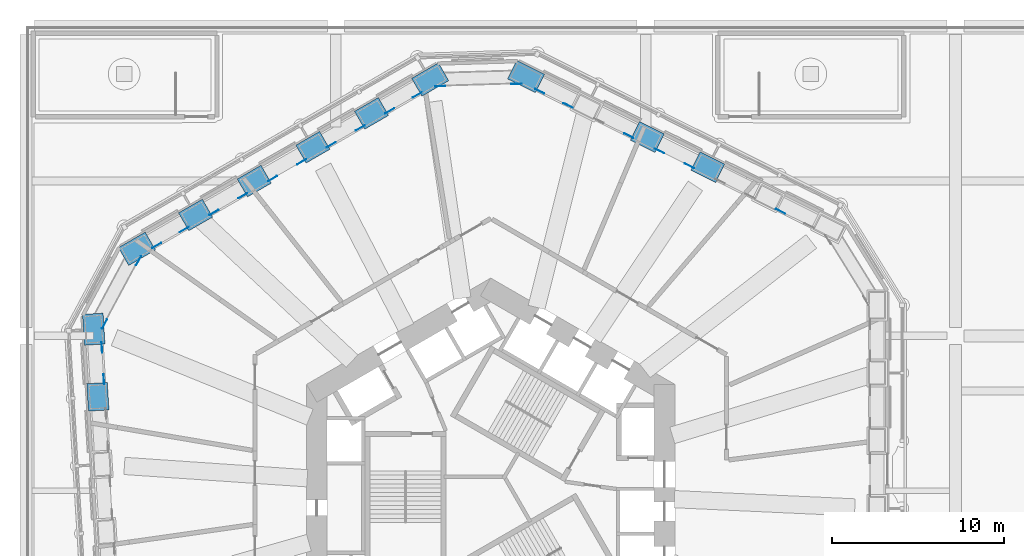
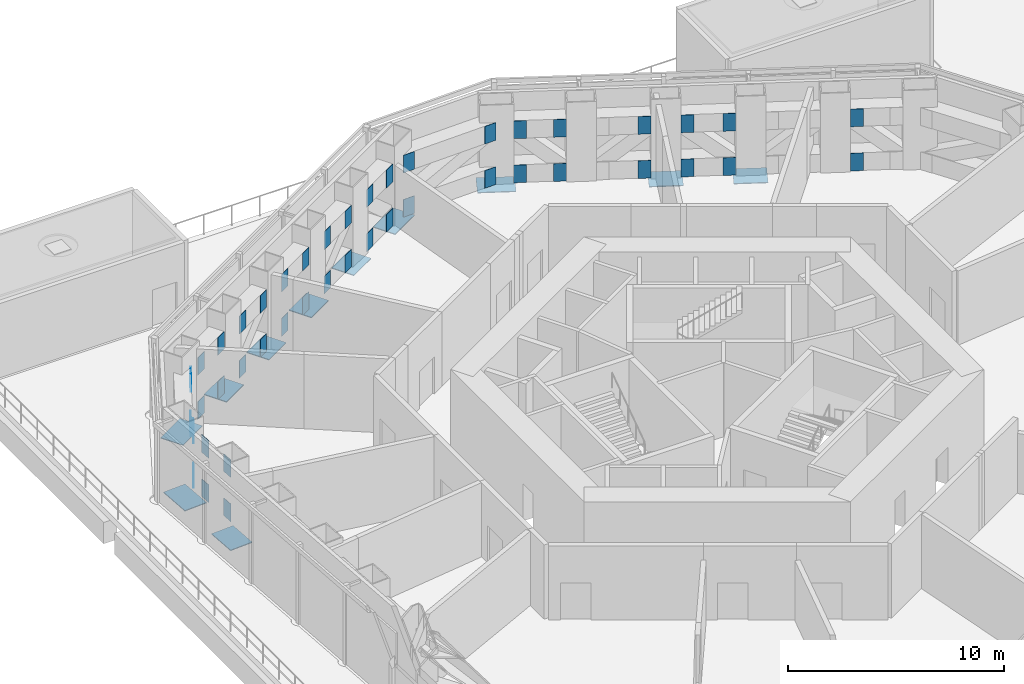
# One storey, part 14 of 20: 55 discrete accessories.
"""IFC4 building model written with IfcOpenShell, lengths in metres."""

from ifc_helpers import new_model, si_unit, direction, frame, origin, origin_2d, place, context, subcontext, project, spatial, rectangle, extrude, material, layer, layer_set, type_object, element, save


model = new_model("IFC4")

# Units and contexts
model_context = context("Model", 3, precision=1e-05, world=origin(), true_north=direction((0.0, 1.0)))
body_context = subcontext(model_context, "Body", "Model", "MODEL_VIEW")
ifc_project = project(units=[si_unit("LENGTHUNIT", "METRE"), si_unit("AREAUNIT", "SQUARE_METRE"), si_unit("VOLUMEUNIT", "CUBIC_METRE"), si_unit("PLANEANGLEUNIT", "RADIAN"), si_unit("MASSUNIT", "GRAM", prefix="KILO")], contexts=[model_context])

# Site, building, storey
site_placement = place(None, origin())
site = spatial("IfcSite", under=ifc_project, at=site_placement, CompositionType="ELEMENT")
building_placement = place(site_placement, origin())
building = spatial("IfcBuilding", under=site, at=building_placement, Name="Vanh Sen Convention Tower", CompositionType="ELEMENT")
storey_placement = place(building_placement, frame((0.0, 0.0, 34.5)))
storey = spatial("IfcBuildingStorey", under=building, at=storey_placement, Name="L05", CompositionType="ELEMENT", Elevation=34.5)

# Discrete accessories
ifc_material = material(Name="Steel S355", Category="steel")
ifc_layer_1 = layer(ifc_material, 0.02001953125)
ifc_layer_set_1 = layer_set([ifc_layer_1], Name="Steel S355")
discrete_accessory_type_1 = type_object("IfcDiscreteAccessoryType", Name="Transfer truss gusset plate 600 x 1000 x 20", PredefinedType="USERDEFINED", material=ifc_layer_set_1)
for number, where, z_axis, x_axis, name in (
    (1, (16.84521484375, 16.228759765625, 0.0), (0.0, 0.0, 1.0), (0.894935140363, -0.446196251154, 0.0), "GUSSET PLATE transfer truss chord bottom 07 L05 end"),
    (2, (16.84521484375, 16.228759765625, 2.5), (0.0, 0.0, 1.0), (0.894935140363, -0.446196251154, 0.0), "GUSSET PLATE transfer truss chord top 07 L05 end"),
    (3, (11.543212890625, 18.872314453125, 0.0), (0.0, 0.0, 1.0), (-0.894935140363, 0.446196251154, 0.0), "GUSSET PLATE transfer truss chord bottom 09 L05 start"),
    (4, (9.802978515625, 19.739990234375, 0.0), (0.0, 0.0, 1.0), (0.894935140363, -0.446196251154, 0.0), "GUSSET PLATE transfer truss chord bottom 09 L05 end"),
    (5, (11.543212890625, 18.872314453125, 2.5), (0.0, 0.0, 1.0), (-0.894935140363, 0.446196251154, 0.0), "GUSSET PLATE transfer truss chord top 09 L05 start"),
    (6, (9.802978515625, 19.739990234375, 2.5), (0.0, 0.0, 1.0), (0.894935140363, -0.446196251154, 0.0), "GUSSET PLATE transfer truss chord top 09 L05 end"),
    (7, (8.02197265625, 20.6279296875, 0.0), (0.0, 0.0, 1.0), (-0.894935140363, 0.446196251154, 0.0), "GUSSET PLATE transfer truss chord bottom 10 L05 start"),
    (8, (8.02197265625, 20.6279296875, 2.5), (0.0, 0.0, 1.0), (-0.894935140363, 0.446196251154, 0.0), "GUSSET PLATE transfer truss chord top 10 L05 start"),
    (9, (4.500732421875, 22.383544921875, 0.0), (0.0, 0.0, 1.0), (-0.894935140363, 0.446196251154, 0.0), "GUSSET PLATE transfer truss chord bottom 11 L05 start"),
    (10, (2.849853515625, 23.20654296875, 0.0), (0.0, 0.0, 1.0), (0.894935140363, -0.446196251154, 0.0), "GUSSET PLATE transfer truss chord bottom 11 L05 end"),
    (11, (4.500732421875, 22.383544921875, 2.5), (0.0, 0.0, 1.0), (-0.894935140363, 0.446196251154, 0.0), "GUSSET PLATE transfer truss chord top 11 L05 start"),
    (12, (2.849853515625, 23.20654296875, 2.5), (0.0, 0.0, 1.0), (0.894935140363, -0.446196251154, 0.0), "GUSSET PLATE transfer truss chord top 11 L05 end"),
    (13, (1.49609375, 23.635009765625, 0.0), (0.0, 0.0, 1.0), (-0.999533644135, -0.030536768695, 0.0), "GUSSET PLATE transfer truss chord bottom 12 L05 start"),
    (14, (-2.93603515625, 23.49951171875, 0.0), (0.0, 0.0, 1.0), (0.999533644135, 0.030536768695, 0.0), "GUSSET PLATE transfer truss chord bottom 12 L05 end"),
    (15, (1.49609375, 23.635009765625, 2.5), (0.0, 0.0, 1.0), (-0.999533644135, -0.030536768695, 0.0), "GUSSET PLATE transfer truss chord top 12 L05 start"),
    (16, (-2.93603515625, 23.49951171875, 2.5), (0.0, 0.0, 1.0), (0.999533644135, 0.030536768695, 0.0), "GUSSET PLATE transfer truss chord top 12 L05 end"),
    (17, (-4.26123046875, 22.9892578125, 0.0), (0.0, 0.0, 1.0), (-0.866028021766, -0.499995465495, 0.0), "GUSSET PLATE transfer truss chord bottom 13 L05 start"),
    (18, (-5.85888671875, 22.06689453125, 0.0), (0.0, 0.0, 1.0), (0.866028021766, 0.499995465495, 0.0), "GUSSET PLATE transfer truss chord bottom 13 L05 end"),
    (19, (-4.26123046875, 22.9892578125, 2.5), (0.0, 0.0, 1.0), (-0.866028021766, -0.499995465495, 0.0), "GUSSET PLATE transfer truss chord top 13 L05 start"),
    (20, (-5.85888671875, 22.06689453125, 2.5), (0.0, 0.0, 1.0), (0.866028021766, 0.499995465495, 0.0), "GUSSET PLATE transfer truss chord top 13 L05 end"),
    (21, (-7.582275390625, 21.072021484375, 0.0), (0.0, 0.0, 1.0), (-0.866021040428, -0.500007557478, 0.0), "GUSSET PLATE transfer truss chord bottom 14 L05 start"),
    (22, (-9.26611328125, 20.099609375, 0.0), (0.0, 0.0, 1.0), (0.866021040428, 0.500007557478, 0.0), "GUSSET PLATE transfer truss chord bottom 14 L05 end"),
    (23, (-7.582275390625, 21.072021484375, 2.5), (0.0, 0.0, 1.0), (-0.866021040428, -0.500007557478, 0.0), "GUSSET PLATE transfer truss chord top 14 L05 start"),
    (24, (-9.26611328125, 20.099609375, 2.5), (0.0, 0.0, 1.0), (0.866021040428, 0.500007557478, 0.0), "GUSSET PLATE transfer truss chord top 14 L05 end"),
    (25, (-10.989501953125, 19.104736328125, 0.0), (0.0, 0.0, 1.0), (-0.866028021766, -0.499995465495, 0.0), "GUSSET PLATE transfer truss chord bottom 15 L05 start"),
    (26, (-12.673583984375, 18.13232421875, 0.0), (0.0, 0.0, 1.0), (0.866028021766, 0.499995465495, 0.0), "GUSSET PLATE transfer truss chord bottom 15 L05 end"),
    (27, (-10.989501953125, 19.104736328125, 2.5), (0.0, 0.0, 1.0), (-0.866028021766, -0.499995465495, 0.0), "GUSSET PLATE transfer truss chord top 15 L05 start"),
    (28, (-12.673583984375, 18.13232421875, 2.5), (0.0, 0.0, 1.0), (0.866028021766, 0.499995465495, 0.0), "GUSSET PLATE transfer truss chord top 15 L05 end"),
    (29, (-14.397216796875, 17.137451171875, 0.0), (0.0, 0.0, 1.0), (-0.866028021766, -0.499995465495, 0.0), "GUSSET PLATE transfer truss chord bottom 16 L05 start"),
    (30, (-16.081298828125, 16.1650390625, 0.0), (0.0, 0.0, 1.0), (0.866028021766, 0.499995465495, 0.0), "GUSSET PLATE transfer truss chord bottom 16 L05 end"),
    (31, (-14.397216796875, 17.137451171875, 2.5), (0.0, 0.0, 1.0), (-0.866028021766, -0.499995465495, 0.0), "GUSSET PLATE transfer truss chord top 16 L05 start"),
    (32, (-16.081298828125, 16.1650390625, 2.5), (0.0, 0.0, 1.0), (0.866028021766, 0.499995465495, 0.0), "GUSSET PLATE transfer truss chord top 16 L05 end"),
    (33, (-17.8046875, 15.170166015625, 0.0), (0.0, 0.0, 1.0), (-0.866021040428, -0.500007557478, 0.0), "GUSSET PLATE transfer truss chord bottom 17 L05 start"),
    (34, (-19.402099609375, 14.247802734375, 0.0), (0.0, 0.0, 1.0), (0.866021040428, 0.500007557478, 0.0), "GUSSET PLATE transfer truss chord bottom 17 L05 end"),
    (35, (-17.8046875, 15.170166015625, 2.5), (0.0, 0.0, 1.0), (-0.866021040428, -0.500007557478, 0.0), "GUSSET PLATE transfer truss chord top 17 L05 start"),
    (36, (-19.402099609375, 14.247802734375, 2.5), (0.0, 0.0, 1.0), (0.866021040428, 0.500007557478, 0.0), "GUSSET PLATE transfer truss chord top 17 L05 end"),
    (37, (-20.462158203125, 13.3623046875, 0.0), (0.0, 0.0, 1.0), (-0.473316592293, -0.880892390397, 0.0), "GUSSET PLATE transfer truss chord bottom 18 L05 start"),
    (38, (-22.4365234375, 9.68798828125, 0.0), (0.0, 0.0, 1.0), (0.473316592293, 0.880892390397, 0.0), "GUSSET PLATE transfer truss chord bottom 18 L05 end"),
    (39, (-20.462158203125, 13.3623046875, 2.5), (0.0, 0.0, 1.0), (-0.473316592293, -0.880892390397, 0.0), "GUSSET PLATE transfer truss chord top 18 L05 start"),
    (40, (-22.4365234375, 9.68798828125, 2.5), (0.0, 0.0, 1.0), (0.473316592293, 0.880892390397, 0.0), "GUSSET PLATE transfer truss chord top 18 L05 end"),
    (41, (-22.589599609375, 8.315185546875, 0.0), (0.0, 0.0, 1.0), (0.061046797461, -0.99813490497, 0.0), "GUSSET PLATE transfer truss chord bottom 19 L05 start"),
    (42, (-22.47705078125, 6.47412109375, 0.0), (0.0, 0.0, 1.0), (-0.061046797461, 0.99813490497, 0.0), "GUSSET PLATE transfer truss chord bottom 19 L05 end"),
    (43, (-22.589599609375, 8.315185546875, 2.5), (0.0, 0.0, 1.0), (0.061046797461, -0.99813490497, 0.0), "GUSSET PLATE transfer truss chord top 19 L05 start"),
    (44, (-22.47705078125, 6.47412109375, 2.5), (0.0, 0.0, 1.0), (-0.061046797461, 0.99813490497, 0.0), "GUSSET PLATE transfer truss chord top 19 L05 end"),
):
    element("IfcDiscreteAccessory", number, at=place(storey_placement, frame(where, z_axis=z_axis, x_axis=x_axis)), inside=storey, type_object=discrete_accessory_type_1, Name=name, ObjectType="GUSSET PLATE", PredefinedType="USERDEFINED", context=body_context, shape_type="SweptSolid", body=[
        extrude(rectangle(XDim=0.60009765625, YDim=0.02001953125, at=origin_2d()), origin(), (0.0, 0.0, 1.0), 1.0),
    ])
ifc_layer_2 = layer(ifc_material, 0.044921875)
ifc_layer_set_2 = layer_set([ifc_layer_2], Name="Steel S355")
discrete_accessory_type_2 = type_object("IfcDiscreteAccessoryType", Name="Transfer truss post bearing plate 1600 x 1200 x 45", PredefinedType="USERDEFINED", material=ifc_layer_set_2)
for number, where, z_axis, x_axis, name in (
    (45, (12.616455078125, 18.79541015625, -0.39501953125), (0.0, 0.0, 1.0), (-0.894934361602, 0.44619781311, 0.0), "BEARING PLATE transfer truss post 09"),
    (46, (9.09521484375, 20.55078125, -0.39501953125), (0.0, 0.0, 1.0), (-0.894934361602, 0.44619781311, 0.0), "BEARING PLATE transfer truss post 10"),
    (47, (-6.925537109375, 21.924560546875, -0.39501953125), (0.0, 0.0, 1.0), (-0.866025403784, -0.5, 0.0), "BEARING PLATE transfer truss post 14"),
    (48, (-10.3330078125, 19.957275390625, -0.39501953125), (0.0, 0.0, 1.0), (-0.866025403784, -0.5, 0.0), "BEARING PLATE transfer truss post 15"),
    (49, (-13.740478515625, 17.989990234375, -0.39501953125), (0.0, 0.0, 1.0), (-0.866025403784, -0.5, 0.0), "BEARING PLATE transfer truss post 16"),
    (50, (-17.14794921875, 16.022705078125, -0.39501953125), (0.0, 0.0, 1.0), (-0.866025403784, -0.5, 0.0), "BEARING PLATE transfer truss post 17"),
    (51, (-22.82568359375, 5.455810546875, -0.39501953125), (0.0, 0.0, 1.0), (0.061048539535, -0.998134798422, 0.0), "BEARING PLATE transfer truss post 20"),
):
    element("IfcDiscreteAccessory", number, at=place(storey_placement, frame(where, z_axis=z_axis, x_axis=x_axis)), inside=storey, type_object=discrete_accessory_type_2, Name=name, ObjectType="BEARING PLATE", PredefinedType="USERDEFINED", context=body_context, shape_type="SweptSolid", body=[
        extrude(rectangle(XDim=1.60009765625, YDim=1.199951171875, at=origin_2d()), origin(), (0.0, 0.0, 1.0), 0.044921875),
    ])
ifc_layer_3 = layer(ifc_material, 0.044921875)
ifc_layer_set_3 = layer_set([ifc_layer_3], Name="Steel S355")
discrete_accessory_type_3 = type_object("IfcDiscreteAccessoryType", Name="Transfer truss post bearing plate 1800 x 1200 x 45", PredefinedType="USERDEFINED", material=ifc_layer_set_3)
for number, where, z_axis, x_axis, name in (
    (52, (2.052978515625, 24.06201171875, -0.39501953125), (0.0, 0.0, 1.0), (-0.894934361602, 0.44619781311, 0.0), "BEARING PLATE transfer truss post 12"),
    (53, (-3.51806640625, 23.891845703125, -0.39501953125), (0.0, 0.0, 1.0), (-0.866025403784, -0.5, 0.0), "BEARING PLATE transfer truss post 13"),
    (54, (-20.555419921875, 14.055419921875, -0.39501953125), (0.0, 0.0, 1.0), (-0.866025403784, -0.5, 0.0), "BEARING PLATE transfer truss post 18"),
    (55, (-23.06591796875, 9.383056640625, -0.39501953125), (0.0, 0.0, 1.0), (0.061048539535, -0.998134798422, 0.0), "BEARING PLATE transfer truss post 19"),
):
    element("IfcDiscreteAccessory", number, at=place(storey_placement, frame(where, z_axis=z_axis, x_axis=x_axis)), inside=storey, type_object=discrete_accessory_type_3, Name=name, ObjectType="BEARING PLATE", PredefinedType="USERDEFINED", context=body_context, shape_type="SweptSolid", body=[
        extrude(rectangle(XDim=1.800048828125, YDim=1.199951171875, at=origin_2d()), origin(), (0.0, 0.0, 1.0), 0.044921875),
    ])

save(model, "model.ifc")
